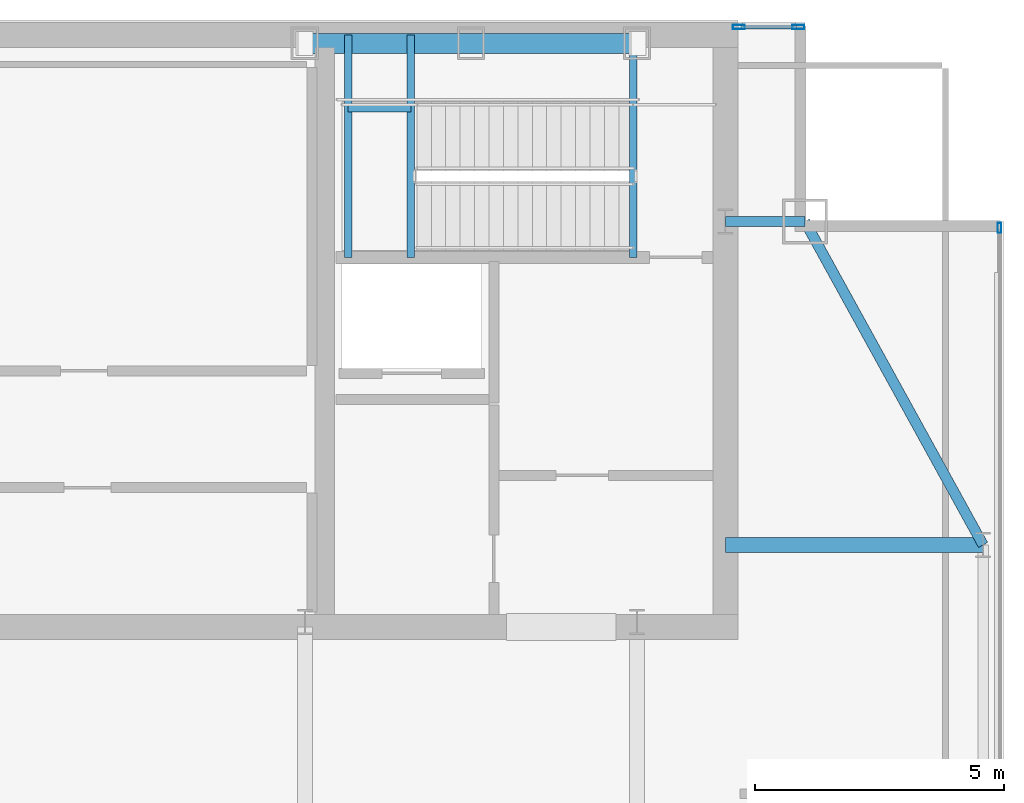
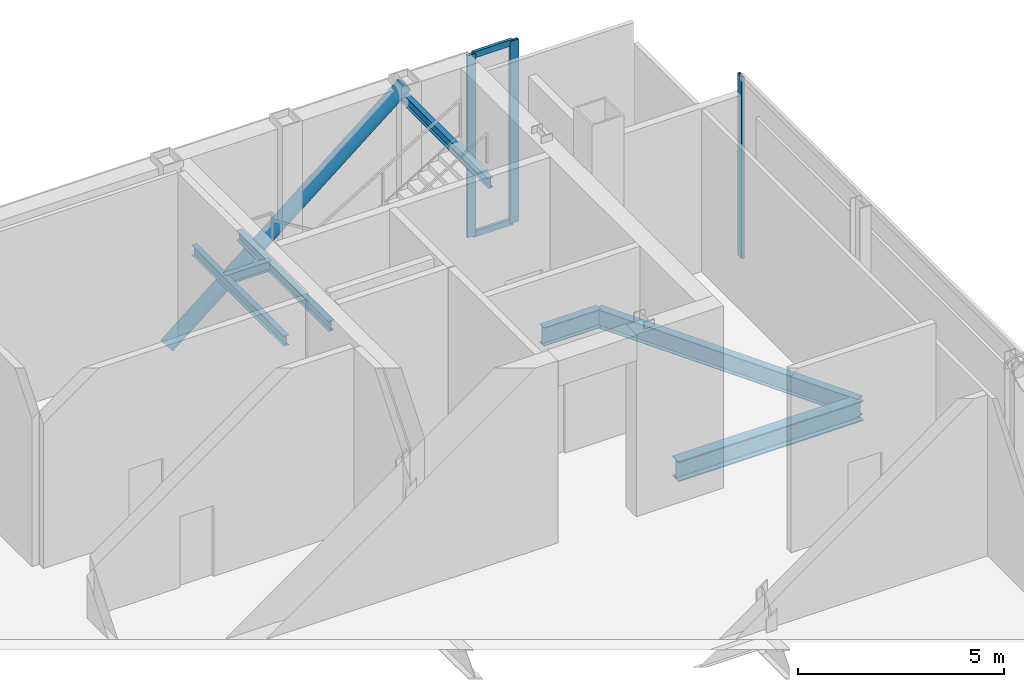
# One storey, part 17 of 22: 7 beams, 6 members, 2 elements without a shape of their own.
"""IFC4 building model written with IfcOpenShell, lengths in metres."""

from ifc_helpers import new_model, si_unit, direction, frame, origin, origin_2d, place, context, subcontext, project, spatial, hollow_rectangle, hollow_circle, i_section, extrude, material, material_profile, profile_set, type_object, element, aggregate, save


model = new_model("IFC4")

# Units and contexts
model_context = context("Model", 3, precision=1e-05, world=origin(), true_north=direction((0.0, 1.0)))
body_context = subcontext(model_context, "Body", "Model", "MODEL_VIEW")
ifc_project = project(units=[si_unit("LENGTHUNIT", "METRE"), si_unit("AREAUNIT", "SQUARE_METRE"), si_unit("VOLUMEUNIT", "CUBIC_METRE"), si_unit("PLANEANGLEUNIT", "RADIAN"), si_unit("MASSUNIT", "GRAM", prefix="KILO")], contexts=[model_context])

# Site, building, storey
site_placement = place(None, origin())
site = spatial("IfcSite", under=ifc_project, at=site_placement, CompositionType="ELEMENT")
building_placement = place(site_placement, origin())
building = spatial("IfcBuilding", under=site, at=building_placement, Name="Khoronbel Lancet Exchange", CompositionType="ELEMENT")
storey_placement = place(building_placement, frame((0.0, 0.0, 367.39990234375)))
storey = spatial("IfcBuildingStorey", under=building, at=storey_placement, Name="L94", CompositionType="ELEMENT", Elevation=367.39990234375)

# Beams
ifc_material_1 = material(Name="Steel S355", Category="steel")
ifc_material_profile_1 = material_profile(ifc_material_1, i_section(OverallWidth=0.300048828125, OverallDepth=0.60009765625, WebThickness=0.015380859375, FlangeThickness=0.030029296875, at=origin_2d()), Name="HEB 600")
ifc_profile_set_1 = profile_set([ifc_material_profile_1], Name="Steel S355")
beam_type_1 = type_object("IfcBeamType", Name="BM-BG5", PredefinedType="BEAM", material=ifc_profile_set_1)
beam_1_placement = place(storey_placement, frame((56.449951171875, 43.199951171875, -0.5), z_axis=(1.0, 0.0, 0.0), x_axis=(0.0, 1.0, 0.0)))
element("IfcBeam", 1, at=beam_1_placement, inside=storey, type_object=beam_type_1, Name="Level L94 east lens tie girder LG3E", PredefinedType="BEAM", context=body_context, shape_type="SweptSolid", body=[
    extrude(i_section(OverallWidth=0.300048828125, OverallDepth=0.60009765625, WebThickness=0.015380859375, FlangeThickness=0.030029296875, at=origin_2d()), origin(), (0.0, 0.0, 1.0), 5.179931640625),
])
ifc_material_profile_2 = material_profile(ifc_material_1, i_section(OverallWidth=0.14990234375, OverallDepth=0.300048828125, WebThickness=0.007080078125, FlangeThickness=0.0107421875, at=origin_2d()), Name="IPE 300")
ifc_profile_set_2 = profile_set([ifc_material_profile_2], Name="Steel S355")
beam_type_2 = type_object("IfcBeamType", Name="BM-BJ8", PredefinedType="JOIST", material=ifc_profile_set_2)
for number, where, z_axis, x_axis, name in (
    (2, (50.1298828125, 48.97998046875, 2.4501953125), (0.0, 1.0, 0.0), (-1.0, 0.0, 0.0), "Level L94 stair ST2 landing bearer beam 1"),
    (3, (48.8701171875, 48.97998046875, 2.4501953125), (0.0, 1.0, 0.0), (-1.0, 0.0, 0.0), "Level L94 stair ST2 rear landing bearer beam 1"),
):
    element("IfcBeam", number, at=place(storey_placement, frame(where, z_axis=z_axis, x_axis=x_axis)), inside=storey, type_object=beam_type_2, Name=name, PredefinedType="JOIST", context=body_context, shape_type="SweptSolid", body=[
        extrude(i_section(OverallWidth=0.14990234375, OverallDepth=0.300048828125, WebThickness=0.007080078125, FlangeThickness=0.0107421875, at=origin_2d()), origin(), (0.0, 0.0, 1.0), 4.469970703125),
    ])
beam_2_placement = place(storey_placement, frame((48.8701171875, 51.97998046875, 2.4501953125), z_axis=(1.0, 0.0, 0.0), x_axis=(0.0, 1.0, 0.0)))
element("IfcBeam", 4, at=beam_2_placement, inside=storey, type_object=beam_type_2, Name="Level L94 stair ST2 landing cross trimmer beam 1", PredefinedType="JOIST", context=body_context, shape_type="SweptSolid", body=[
    extrude(i_section(OverallWidth=0.14990234375, OverallDepth=0.300048828125, WebThickness=0.007080078125, FlangeThickness=0.0107421875, at=origin_2d()), origin(), (0.0, 0.0, 1.0), 1.259765625),
])
beam_3_placement = place(storey_placement, frame((54.60009765625, 48.97998046875, 5.1201171875), z_axis=(0.0, 1.0, 0.0), x_axis=(-1.0, 0.0, 0.0)))
element("IfcBeam", 5, at=beam_3_placement, inside=storey, type_object=beam_type_2, Name="Level L94 stair ST2 upper-flight arrival trimmer beam", PredefinedType="JOIST", context=body_context, shape_type="SweptSolid", body=[
    extrude(i_section(OverallWidth=0.14990234375, OverallDepth=0.300048828125, WebThickness=0.007080078125, FlangeThickness=0.0107421875, at=origin_2d()), origin(), (0.0, 0.0, 1.0), 4.469970703125),
])
ifc_material_profile_3 = material_profile(ifc_material_1, i_section(OverallWidth=0.2099609375, OverallDepth=0.550048828125, WebThickness=0.010986328125, FlangeThickness=0.01708984375, at=origin_2d()), Name="IPE 550")
ifc_profile_set_3 = profile_set([ifc_material_profile_3], Name="Steel S355")
beam_type_3 = type_object("IfcBeamType", Name="BM-BSP3", PredefinedType="SPANDREL", material=ifc_profile_set_3)
beam_4_placement = place(storey_placement, frame((61.6298828125, 43.199951171875, -0.474853515625), z_axis=(-0.482418808117, 0.875940690672, 0.0), x_axis=(-0.875940690672, -0.482418808117, 0.0)))
element("IfcBeam", 6, at=beam_4_placement, inside=storey, type_object=beam_type_3, Name="Level L94 perimeter spandrel beam SP13", PredefinedType="SPANDREL", context=body_context, shape_type="SweptSolid", body=[
    extrude(i_section(OverallWidth=0.2099609375, OverallDepth=0.550048828125, WebThickness=0.010986328125, FlangeThickness=0.01708984375, at=origin_2d()), origin(), (0.0, 0.0, 1.0), 7.420654296875),
])
beam_5_placement = place(storey_placement, frame((58.050048828125, 49.699951171875, -0.474853515625), z_axis=(-1.0, 0.0, 0.0), x_axis=(0.0, -1.0, 0.0)))
element("IfcBeam", 7, at=beam_5_placement, inside=storey, type_object=beam_type_3, Name="Level L94 north flank tie spandrel SP21", PredefinedType="SPANDREL", context=body_context, shape_type="SweptSolid", body=[
    extrude(i_section(OverallWidth=0.2099609375, OverallDepth=0.550048828125, WebThickness=0.010986328125, FlangeThickness=0.01708984375, at=origin_2d()), origin(), (0.0, 0.0, 1.0), 1.60009765625),
])

# Curtain wall, members
ifc_material_2 = material(Name="Low-E Solar Control Insulating Glass", Category="glass")
curtain_wall_type = type_object("IfcCurtainWallType", Name="CW-6", PredefinedType="NOTDEFINED", material=ifc_material_2)
curtain_wall_1_placement = place(storey_placement, origin())
curtain_wall_1 = element("IfcCurtainWall", 8, at=curtain_wall_1_placement, inside=storey, type_object=curtain_wall_type, Name="Unitised curtain wall CW-L94-NEFLK", PredefinedType="NOTDEFINED")
ifc_material_3 = material(Name="Bronze-Anodised Aluminium 6063-T6", Category="aluminium")
ifc_material_profile_4 = material_profile(ifc_material_3, hollow_rectangle(XDim=0.0849609375, YDim=0.239990234375, WallThickness=0.006103515625, at=origin_2d()), Name="ALU MULLION 85x240")
ifc_profile_set_4 = profile_set([ifc_material_profile_4], Name="Bronze-Anodised Aluminium 6063-T6")
member_type_1 = type_object("IfcMemberType", Name="MEM-CWM1", PredefinedType="MULLION", material=ifc_profile_set_4)
member_1_placement = place(storey_placement, frame((57.91748046875, 53.610107421875, 0.0), z_axis=(0.0, 0.0, 1.0), x_axis=(0.0, -1.0, 0.0)))
member_1 = element("IfcMember", 9, at=member_1_placement, type_object=member_type_1, Name="CW6 mullion 1", PredefinedType="MULLION", context=body_context, shape_type="SweptSolid", body=[
    extrude(hollow_rectangle(XDim=0.0849609375, YDim=0.239990234375, WallThickness=0.006103515625, at=origin_2d()), origin(), (0.0, 0.0, 1.0), 5.400146484375),
])
member_2_placement = place(storey_placement, frame((56.722412109375, 53.610107421875, 0.0), z_axis=(0.0, 0.0, 1.0), x_axis=(0.0, -1.0, 0.0)))
member_2 = element("IfcMember", 10, at=member_2_placement, type_object=member_type_1, Name="CW6 mullion 2", PredefinedType="MULLION", context=body_context, shape_type="SweptSolid", body=[
    extrude(hollow_rectangle(XDim=0.0849609375, YDim=0.239990234375, WallThickness=0.006103515625, at=origin_2d()), origin(), (0.0, 0.0, 1.0), 5.400146484375),
])

# Curtain wall, member
curtain_wall_2_placement = place(storey_placement, origin())
curtain_wall_2 = element("IfcCurtainWall", 11, at=curtain_wall_2_placement, inside=storey, type_object=curtain_wall_type, Name="Unitised curtain wall CW-L94-E09", PredefinedType="NOTDEFINED")
ifc_material_profile_5 = material_profile(ifc_material_3, hollow_rectangle(XDim=0.074951171875, YDim=0.199951171875, WallThickness=0.0048828125, at=origin_2d()), Name="ALU MULLION 75x200")
ifc_profile_set_5 = profile_set([ifc_material_profile_5], Name="Bronze-Anodised Aluminium 6063-T6")
member_type_2 = type_object("IfcMemberType", Name="MEM-CWM2", PredefinedType="MULLION", material=ifc_profile_set_5)
member_3_placement = place(storey_placement, frame((61.9599609375, 49.572509765625, 0.0), z_axis=(0.0, 0.0, 1.0), x_axis=(1.0, 0.0, 0.0)))
member_3 = element("IfcMember", 12, at=member_3_placement, type_object=member_type_2, Name="CW6 mullion 1", PredefinedType="MULLION", context=body_context, shape_type="SweptSolid", body=[
    extrude(hollow_rectangle(XDim=0.074951171875, YDim=0.199951171875, WallThickness=0.0048828125, at=origin_2d()), origin(), (0.0, 0.0, 1.0), 5.400146484375),
])
aggregate(curtain_wall_2, [member_3])

# Member
ifc_material_profile_6 = material_profile(ifc_material_3, hollow_rectangle(XDim=0.0849609375, YDim=0.179931640625, WallThickness=0.0048828125, at=origin_2d()), Name="ALU TRANSOM 85x180")
ifc_profile_set_6 = profile_set([ifc_material_profile_6], Name="Bronze-Anodised Aluminium 6063-T6")
member_type_3 = type_object("IfcMemberType", Name="MEM-CWT1", PredefinedType="USERDEFINED", material=ifc_profile_set_6)
member_4_placement = place(storey_placement, frame((57.875, 53.610107421875, 0.04248046875), z_axis=(-1.0, 0.0, 0.0), x_axis=(0.0, -1.0, 0.0)))
member_4 = element("IfcMember", 13, at=member_4_placement, type_object=member_type_3, Name="CW6 transom 1.1", ObjectType="TRANSOM", PredefinedType="USERDEFINED", context=body_context, shape_type="SweptSolid", body=[
    extrude(hollow_rectangle(XDim=0.0849609375, YDim=0.179931640625, WallThickness=0.0048828125, at=origin_2d()), origin(), (0.0, 0.0, 1.0), 1.110107421875),
])

member_5_placement = place(storey_placement, frame((57.875, 53.610107421875, 5.357666015625), z_axis=(-1.0, 0.0, 0.0), x_axis=(0.0, -1.0, 0.0)))
member_5 = element("IfcMember", 14, at=member_5_placement, type_object=member_type_3, Name="CW6 transom 1.2", ObjectType="TRANSOM", PredefinedType="USERDEFINED", context=body_context, shape_type="SweptSolid", body=[
    extrude(hollow_rectangle(XDim=0.0849609375, YDim=0.179931640625, WallThickness=0.0048828125, at=origin_2d()), origin(), (0.0, 0.0, 1.0), 1.110107421875),
])

aggregate(curtain_wall_1, [member_1, member_2, member_4, member_5])

ifc_material_profile_7 = material_profile(ifc_material_1, hollow_circle(Radius=0.203125, WallThickness=0.02001953125, at=origin_2d()), Name="CHS 406.4x20")
ifc_profile_set_7 = profile_set([ifc_material_profile_7], Name="Steel S355")
member_type_4 = type_object("IfcMemberType", Name="MEM-STR2", PredefinedType="STRUT", material=ifc_profile_set_7)
member_6_placement = place(storey_placement, frame((48.0, 53.280029296875, 0.0), z_axis=(0.776302430453, 0.0, 0.630360640009), x_axis=(0.0, 1.0, 0.0)))
element("IfcMember", 15, at=member_6_placement, inside=storey, type_object=member_type_4, Name="CROWN FRAME diagonal ring brace L94-N2", PredefinedType="STRUT", context=body_context, shape_type="SweptSolid", body=[
    extrude(hollow_circle(Radius=0.203125, WallThickness=0.02001953125, at=origin_2d()), origin(), (0.0, 0.0, 1.0), 8.5986328125),
])

save(model, "model.ifc")
